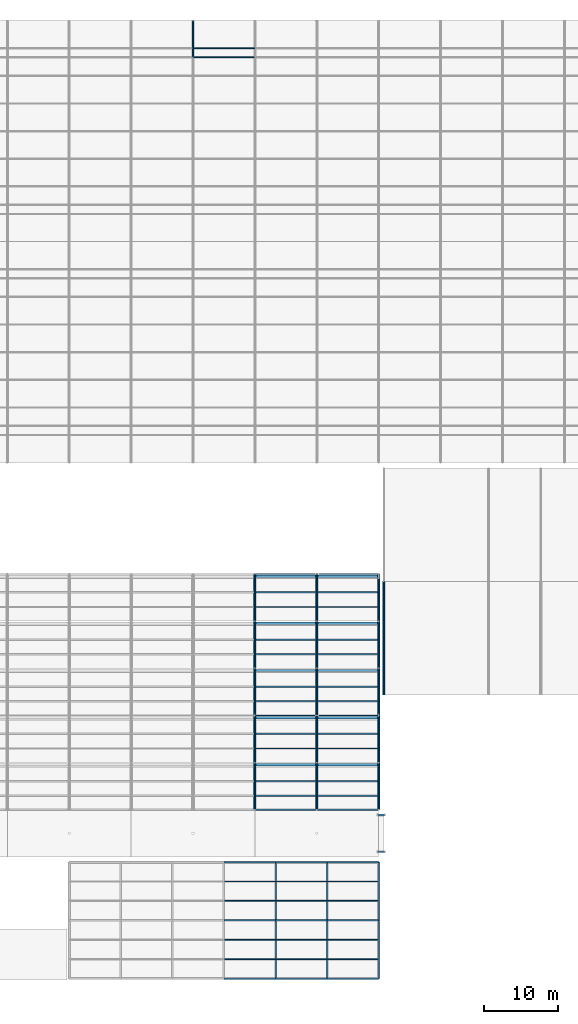
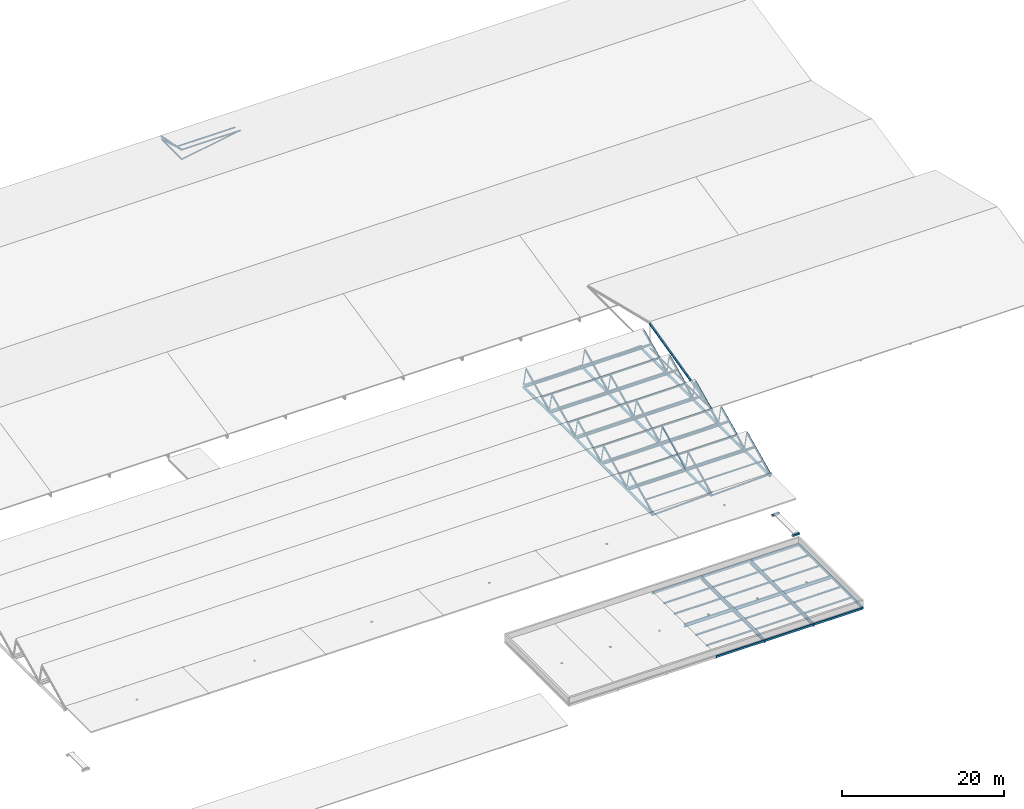
# One storey, part 62 of 194: 74 members, 58 beams.
"""IFC4 building model written with IfcOpenShell, lengths in metres."""

from ifc_helpers import new_model, si_unit, direction, frame, origin, origin_2d, place, context, subcontext, project, spatial, hollow_rectangle, hollow_circle, i_section, extrude, material, material_profile, profile_set, type_object, element, save


model = new_model("IFC4")

# Units and contexts
model_context = context("Model", 3, precision=1e-05, world=origin(), true_north=direction((0.0, 1.0)))
body_context = subcontext(model_context, "Body", "Model", "MODEL_VIEW")
ifc_project = project(units=[si_unit("LENGTHUNIT", "METRE"), si_unit("AREAUNIT", "SQUARE_METRE"), si_unit("VOLUMEUNIT", "CUBIC_METRE"), si_unit("PLANEANGLEUNIT", "RADIAN"), si_unit("MASSUNIT", "GRAM", prefix="KILO")], contexts=[model_context])

# Site, building, storey
site_placement = place(None, origin())
site = spatial("IfcSite", under=ifc_project, at=site_placement, CompositionType="ELEMENT")
building_placement = place(site_placement, origin())
building = spatial("IfcBuilding", under=site, at=building_placement, Name="Kazenagashi Tramway Depot", CompositionType="ELEMENT")
storey_placement = place(building_placement, frame((0.0, 0.0, 23.7)))
storey = spatial("IfcBuildingStorey", under=building, at=storey_placement, Name="ROOF", CompositionType="ELEMENT", Elevation=23.7)

# Members
ifc_material_1 = material(Name="Steel STKR400", Category="steel")
ifc_material_profile_1 = material_profile(ifc_material_1, hollow_rectangle(XDim=0.175, YDim=0.175, WallThickness=0.008, at=origin_2d()), Name="SHS-175x175x8")
ifc_profile_set_1 = profile_set([ifc_material_profile_1], Name="Steel STKR400")
member_type_1 = type_object("IfcMemberType", Name="BR-03", PredefinedType="BRACE", material=ifc_profile_set_1)
for number, where, z_axis, x_axis, name in (
    (1, (128.8, 22.9, -8.9), (0.999362854348, 0.0, 0.035691530512), (0.0, 1.0, 0.0), "Roof Truss BR-03 MEM-1464"),
    (2, (128.8, 35.7, -8.9), (0.999362854348, 0.0, 0.035691530512), (0.0, 1.0, 0.0), "Roof Truss BR-03 MEM-1465"),
    (3, (128.8, 54.9, -8.9), (0.999362854348, 0.0, 0.035691530512), (0.0, 1.0, 0.0), "Roof Truss BR-03 MEM-1466"),
    (4, (137.2, 22.9, -8.9), (0.999362854348, 0.0, 0.035691530512), (0.0, 1.0, 0.0), "Roof Truss BR-03 MEM-1493"),
    (5, (137.2, 35.7, -8.9), (0.999362854348, 0.0, 0.035691530512), (0.0, 1.0, 0.0), "Roof Truss BR-03 MEM-1494"),
    (6, (137.2, 54.9, -8.9), (0.999362854348, 0.0, 0.035691530512), (0.0, 1.0, 0.0), "Roof Truss BR-03 MEM-1495"),
):
    element("IfcMember", number, at=place(storey_placement, frame(where, z_axis=z_axis, x_axis=x_axis)), inside=storey, type_object=member_type_1, Name=name, PredefinedType="BRACE", context=body_context, shape_type="SweptSolid", body=[
        extrude(hollow_rectangle(XDim=0.175, YDim=0.175, WallThickness=0.008, at=origin_2d()), origin(), (0.0, 0.0, 1.0), 8.405355),
    ])

# Beams
ifc_material_2 = material(Name="Steel SN490B", Category="steel")
ifc_material_profile_2 = material_profile(ifc_material_2, i_section(OverallWidth=0.2, OverallDepth=0.5, WebThickness=0.01, FlangeThickness=0.016, at=origin_2d()), Name="H-500x200x10x16")
ifc_profile_set_2 = profile_set([ifc_material_profile_2], Name="Steel SN490B")
beam_type_1 = type_object("IfcBeamType", Name="G-05", PredefinedType="BEAM", material=ifc_profile_set_2)
for number, where, z_axis, x_axis, name in (
    (7, (124.6, 7.9, -15.05), (1.0, 0.0, 0.0), (0.0, 1.0, 0.0), "Beam G-05 BM-1654"),
    (8, (131.6, 7.9, -15.05), (1.0, 0.0, 0.0), (0.0, 1.0, 0.0), "Beam G-05 BM-1655"),
    (9, (138.6, 7.9, -15.05), (1.0, 0.0, 0.0), (0.0, 1.0, 0.0), "Beam G-05 BM-1656"),
):
    element("IfcBeam", number, at=place(storey_placement, frame(where, z_axis=z_axis, x_axis=x_axis)), inside=storey, type_object=beam_type_1, Name=name, PredefinedType="BEAM", context=body_context, shape_type="SweptSolid", body=[
        extrude(i_section(OverallWidth=0.2, OverallDepth=0.5, WebThickness=0.01, FlangeThickness=0.016, at=origin_2d()), origin(), (0.0, 0.0, 1.0), 7.0),
    ])
for number, where, z_axis, x_axis, name in (
    (10, (131.6, 0.0, -15.05), (0.0, 1.0, 0.0), (-1.0, 0.0, 0.0), "Beam G-05 BM-1687"),
    (11, (131.6, 7.9, -15.05), (0.0, 1.0, 0.0), (-1.0, 0.0, 0.0), "Beam G-05 BM-1690"),
    (12, (138.6, 0.0, -15.05), (0.0, 1.0, 0.0), (-1.0, 0.0, 0.0), "Beam G-05 BM-1693"),
    (13, (138.6, 7.9, -15.05), (0.0, 1.0, 0.0), (-1.0, 0.0, 0.0), "Beam G-05 BM-1696"),
):
    element("IfcBeam", number, at=place(storey_placement, frame(where, z_axis=z_axis, x_axis=x_axis)), inside=storey, type_object=beam_type_1, Name=name, PredefinedType="BEAM", context=body_context, shape_type="SweptSolid", body=[
        extrude(i_section(OverallWidth=0.2, OverallDepth=0.5, WebThickness=0.01, FlangeThickness=0.016, at=origin_2d()), origin(), (0.0, 0.0, 1.0), 7.9),
    ])
ifc_material_profile_3 = material_profile(ifc_material_2, i_section(OverallWidth=0.3, OverallDepth=0.44, WebThickness=0.011, FlangeThickness=0.018, at=origin_2d()), Name="H-440x300x11x18")
ifc_profile_set_3 = profile_set([ifc_material_profile_3], Name="Steel SN490B")
beam_type_2 = type_object("IfcBeamType", Name="G-06", PredefinedType="BEAM", material=ifc_profile_set_3)
for number, where, z_axis, x_axis, name in (
    (14, (128.8, 29.0, -8.62), (1.0, 0.0, 0.0), (0.0, 1.0, 0.0), "Beam G-06 BM-1940"),
    (15, (137.2, 29.0, -8.62), (1.0, 0.0, 0.0), (0.0, 1.0, 0.0), "Beam G-06 BM-1941"),
    (16, (128.8, 35.4, -8.62), (1.0, 0.0, 0.0), (0.0, 1.0, 0.0), "Beam G-06 BM-1952"),
    (17, (137.2, 35.4, -8.62), (1.0, 0.0, 0.0), (0.0, 1.0, 0.0), "Beam G-06 BM-1953"),
    (18, (128.8, 41.8, -8.62), (1.0, 0.0, 0.0), (0.0, 1.0, 0.0), "Beam G-06 BM-1964"),
    (19, (137.2, 41.8, -8.62), (1.0, 0.0, 0.0), (0.0, 1.0, 0.0), "Beam G-06 BM-1965"),
    (20, (128.8, 48.2, -8.62), (1.0, 0.0, 0.0), (0.0, 1.0, 0.0), "Beam G-06 BM-1976"),
    (21, (137.2, 48.2, -8.62), (1.0, 0.0, 0.0), (0.0, 1.0, 0.0), "Beam G-06 BM-1977"),
    (22, (128.8, 54.6, -8.62), (1.0, 0.0, 0.0), (0.0, 1.0, 0.0), "Beam G-06 BM-1988"),
    (23, (137.2, 54.6, -8.62), (1.0, 0.0, 0.0), (0.0, 1.0, 0.0), "Beam G-06 BM-1989"),
):
    element("IfcBeam", number, at=place(storey_placement, frame(where, z_axis=z_axis, x_axis=x_axis)), inside=storey, type_object=beam_type_2, Name=name, PredefinedType="BEAM", context=body_context, shape_type="SweptSolid", body=[
        extrude(i_section(OverallWidth=0.3, OverallDepth=0.44, WebThickness=0.011, FlangeThickness=0.018, at=origin_2d()), origin(), (0.0, 0.0, 1.0), 8.4),
    ])
ifc_material_3 = material(Name="Steel SN400B", Category="steel")
ifc_material_profile_4 = material_profile(ifc_material_3, i_section(OverallWidth=0.125, OverallDepth=0.25, WebThickness=0.006, FlangeThickness=0.009, at=origin_2d()), Name="H-250x125x6x9")
ifc_profile_set_4 = profile_set([ifc_material_profile_4], Name="Steel SN400B")
beam_type_3 = type_object("IfcBeamType", Name="J-03", PredefinedType="JOIST", material=ifc_profile_set_4)
for number, where, z_axis, x_axis, name in (
    (24, (124.7, 2.633, -14.925), (1.0, 0.0, 0.0), (0.0, 1.0, 0.0), "Beam J-03 BM-1682"),
    (25, (124.7, 5.267, -14.925), (1.0, 0.0, 0.0), (0.0, 1.0, 0.0), "Beam J-03 BM-1683"),
    (26, (124.7, 10.533, -14.925), (1.0, 0.0, 0.0), (0.0, 1.0, 0.0), "Beam J-03 BM-1685"),
    (27, (124.7, 13.167, -14.925), (1.0, 0.0, 0.0), (0.0, 1.0, 0.0), "Beam J-03 BM-1686"),
    (28, (131.7, 2.633, -14.925), (1.0, 0.0, 0.0), (0.0, 1.0, 0.0), "Beam J-03 BM-1688"),
    (29, (131.7, 5.267, -14.925), (1.0, 0.0, 0.0), (0.0, 1.0, 0.0), "Beam J-03 BM-1689"),
    (30, (131.7, 10.533, -14.925), (1.0, 0.0, 0.0), (0.0, 1.0, 0.0), "Beam J-03 BM-1691"),
    (31, (131.7, 13.167, -14.925), (1.0, 0.0, 0.0), (0.0, 1.0, 0.0), "Beam J-03 BM-1692"),
    (32, (138.7, 2.633, -14.925), (1.0, 0.0, 0.0), (0.0, 1.0, 0.0), "Beam J-03 BM-1694"),
    (33, (138.7, 5.267, -14.925), (1.0, 0.0, 0.0), (0.0, 1.0, 0.0), "Beam J-03 BM-1695"),
    (34, (138.7, 10.533, -14.925), (1.0, 0.0, 0.0), (0.0, 1.0, 0.0), "Beam J-03 BM-1697"),
    (35, (138.7, 13.167, -14.925), (1.0, 0.0, 0.0), (0.0, 1.0, 0.0), "Beam J-03 BM-1698"),
):
    element("IfcBeam", number, at=place(storey_placement, frame(where, z_axis=z_axis, x_axis=x_axis)), inside=storey, type_object=beam_type_3, Name=name, PredefinedType="JOIST", context=body_context, shape_type="SweptSolid", body=[
        extrude(i_section(OverallWidth=0.125, OverallDepth=0.25, WebThickness=0.006, FlangeThickness=0.009, at=origin_2d()), origin(), (0.0, 0.0, 1.0), 6.8),
    ])
ifc_material_profile_5 = material_profile(ifc_material_3, i_section(OverallWidth=0.1, OverallDepth=0.2, WebThickness=0.0055, FlangeThickness=0.008, at=origin_2d()), Name="H-200x100x5.5x8")
ifc_profile_set_5 = profile_set([ifc_material_profile_5], Name="Steel SN400B")
beam_type_4 = type_object("IfcBeamType", Name="PR-01", PredefinedType="USERDEFINED", material=ifc_profile_set_5)
beam_placement = place(storey_placement, frame((120.4, 126.25, -12.955), z_axis=(1.0, 0.0, 0.0), x_axis=(0.0, 1.0, 0.0)))
element("IfcBeam", 36, at=beam_placement, inside=storey, type_object=beam_type_4, Name="Beam PR-01 BM-2225", ObjectType="PURLIN", PredefinedType="USERDEFINED", context=body_context, shape_type="SweptSolid", body=[
    extrude(i_section(OverallWidth=0.1, OverallDepth=0.2, WebThickness=0.0055, FlangeThickness=0.008, at=origin_2d()), origin(), (0.0, 0.0, 1.0), 8.4),
])
ifc_material_profile_6 = material_profile(ifc_material_3, i_section(OverallWidth=0.175, OverallDepth=0.175, WebThickness=0.0075, FlangeThickness=0.011, at=origin_2d()), Name="H-175x175x7.5x11")
ifc_profile_set_6 = profile_set([ifc_material_profile_6], Name="Steel SN400B")
beam_type_5 = type_object("IfcBeamType", Name="PR-02", PredefinedType="USERDEFINED", material=ifc_profile_set_6)
for number, where, z_axis, x_axis, name in (
    (37, (128.8, 24.814, -7.775), (1.0, 0.0, 0.0), (0.0, 1.0, 0.0), "Beam PR-02 BM-2244"),
    (38, (137.2, 24.814, -7.775), (1.0, 0.0, 0.0), (0.0, 1.0, 0.0), "Beam PR-02 BM-2245"),
    (39, (128.8, 31.214, -7.775), (1.0, 0.0, 0.0), (0.0, 1.0, 0.0), "Beam PR-02 BM-2268"),
    (40, (137.2, 31.214, -7.775), (1.0, 0.0, 0.0), (0.0, 1.0, 0.0), "Beam PR-02 BM-2269"),
    (41, (128.8, 37.614, -7.775), (1.0, 0.0, 0.0), (0.0, 1.0, 0.0), "Beam PR-02 BM-2292"),
    (42, (137.2, 37.614, -7.775), (1.0, 0.0, 0.0), (0.0, 1.0, 0.0), "Beam PR-02 BM-2293"),
    (43, (128.8, 44.014, -7.775), (1.0, 0.0, 0.0), (0.0, 1.0, 0.0), "Beam PR-02 BM-2316"),
    (44, (137.2, 44.014, -7.775), (1.0, 0.0, 0.0), (0.0, 1.0, 0.0), "Beam PR-02 BM-2317"),
    (45, (128.8, 50.414, -7.775), (1.0, 0.0, 0.0), (0.0, 1.0, 0.0), "Beam PR-02 BM-2340"),
    (46, (137.2, 50.414, -7.775), (1.0, 0.0, 0.0), (0.0, 1.0, 0.0), "Beam PR-02 BM-2341"),
):
    element("IfcBeam", number, at=place(storey_placement, frame(where, z_axis=z_axis, x_axis=x_axis)), inside=storey, type_object=beam_type_5, Name=name, ObjectType="PURLIN", PredefinedType="USERDEFINED", context=body_context, shape_type="SweptSolid", body=[
        extrude(i_section(OverallWidth=0.175, OverallDepth=0.175, WebThickness=0.0075, FlangeThickness=0.011, at=origin_2d()), origin(), (0.0, 0.0, 1.0), 8.4),
    ])
ifc_material_profile_7 = material_profile(ifc_material_2, i_section(OverallWidth=0.2, OverallDepth=0.294, WebThickness=0.008, FlangeThickness=0.012, at=origin_2d()), Name="H-294x200x8x12")
ifc_profile_set_7 = profile_set([ifc_material_profile_7], Name="Steel SN490B")
beam_type_6 = type_object("IfcBeamType", Name="PR-03", PredefinedType="USERDEFINED", material=ifc_profile_set_7)
for number, where, z_axis, x_axis, name in (
    (47, (128.8, 26.786, -6.873), (1.0, 0.0, 0.0), (0.0, 1.0, 0.0), "Beam PR-03 BM-2256"),
    (48, (137.2, 26.786, -6.873), (1.0, 0.0, 0.0), (0.0, 1.0, 0.0), "Beam PR-03 BM-2257"),
    (49, (128.8, 33.186, -6.873), (1.0, 0.0, 0.0), (0.0, 1.0, 0.0), "Beam PR-03 BM-2280"),
    (50, (137.2, 33.186, -6.873), (1.0, 0.0, 0.0), (0.0, 1.0, 0.0), "Beam PR-03 BM-2281"),
    (51, (128.8, 39.586, -6.873), (1.0, 0.0, 0.0), (0.0, 1.0, 0.0), "Beam PR-03 BM-2304"),
    (52, (137.2, 39.586, -6.873), (1.0, 0.0, 0.0), (0.0, 1.0, 0.0), "Beam PR-03 BM-2305"),
    (53, (128.8, 45.986, -6.873), (1.0, 0.0, 0.0), (0.0, 1.0, 0.0), "Beam PR-03 BM-2328"),
    (54, (137.2, 45.986, -6.873), (1.0, 0.0, 0.0), (0.0, 1.0, 0.0), "Beam PR-03 BM-2329"),
    (55, (128.8, 52.386, -6.873), (1.0, 0.0, 0.0), (0.0, 1.0, 0.0), "Beam PR-03 BM-2352"),
    (56, (137.2, 52.386, -6.873), (1.0, 0.0, 0.0), (0.0, 1.0, 0.0), "Beam PR-03 BM-2353"),
):
    element("IfcBeam", number, at=place(storey_placement, frame(where, z_axis=z_axis, x_axis=x_axis)), inside=storey, type_object=beam_type_6, Name=name, ObjectType="PURLIN", PredefinedType="USERDEFINED", context=body_context, shape_type="SweptSolid", body=[
        extrude(i_section(OverallWidth=0.2, OverallDepth=0.294, WebThickness=0.008, FlangeThickness=0.012, at=origin_2d()), origin(), (0.0, 0.0, 1.0), 8.4),
    ])
ifc_material_4 = material(Name="Steel STKR490", Category="steel")
ifc_material_profile_8 = material_profile(ifc_material_4, hollow_rectangle(XDim=0.2, YDim=0.3, WallThickness=0.009, at=origin_2d()), Name="RHS-300x200x9")
ifc_profile_set_8 = profile_set([ifc_material_profile_8], Name="Steel STKR490")
beam_type_7 = type_object("IfcBeamType", Name="SP-03", PredefinedType="SPANDREL", material=ifc_profile_set_8)
for number, where, z_axis, x_axis, name in (
    (57, (124.6, 0.0, -14.95), (1.0, 0.0, 0.0), (0.0, 1.0, 0.0), "Beam SP-03 BM-1648"),
    (58, (131.6, 0.0, -14.95), (1.0, 0.0, 0.0), (0.0, 1.0, 0.0), "Beam SP-03 BM-1649"),
    (59, (138.6, 0.0, -14.95), (1.0, 0.0, 0.0), (0.0, 1.0, 0.0), "Beam SP-03 BM-1650"),
    (60, (124.6, 15.8, -14.95), (1.0, 0.0, 0.0), (0.0, 1.0, 0.0), "Beam SP-03 BM-1660"),
    (61, (131.6, 15.8, -14.95), (1.0, 0.0, 0.0), (0.0, 1.0, 0.0), "Beam SP-03 BM-1661"),
    (62, (138.6, 15.8, -14.95), (1.0, 0.0, 0.0), (0.0, 1.0, 0.0), "Beam SP-03 BM-1662"),
):
    element("IfcBeam", number, at=place(storey_placement, frame(where, z_axis=z_axis, x_axis=x_axis)), inside=storey, type_object=beam_type_7, Name=name, PredefinedType="SPANDREL", context=body_context, shape_type="SweptSolid", body=[
        extrude(hollow_rectangle(XDim=0.2, YDim=0.3, WallThickness=0.009, at=origin_2d()), origin(), (0.0, 0.0, 1.0), 7.0),
    ])
for number, where, z_axis, x_axis, name in (
    (63, (145.6, 0.0, -14.95), (0.0, 1.0, 0.0), (-1.0, 0.0, 0.0), "Beam SP-03 BM-1699"),
    (64, (145.6, 7.9, -14.95), (0.0, 1.0, 0.0), (-1.0, 0.0, 0.0), "Beam SP-03 BM-1700"),
):
    element("IfcBeam", number, at=place(storey_placement, frame(where, z_axis=z_axis, x_axis=x_axis)), inside=storey, type_object=beam_type_7, Name=name, PredefinedType="SPANDREL", context=body_context, shape_type="SweptSolid", body=[
        extrude(hollow_rectangle(XDim=0.2, YDim=0.3, WallThickness=0.009, at=origin_2d()), origin(), (0.0, 0.0, 1.0), 7.9),
    ])

# Members
ifc_material_5 = material(Name="Steel STK490", Category="steel")
ifc_material_profile_9 = material_profile(ifc_material_5, hollow_circle(Radius=0.1337, WallThickness=0.0093, at=origin_2d()), Name="CHS-267.4x9.3")
ifc_profile_set_9 = profile_set([ifc_material_profile_9], Name="Steel STK490")
member_type_2 = type_object("IfcMemberType", Name="TC-01", PredefinedType="CHORD", material=ifc_profile_set_9)
member_1_placement = place(storey_placement, frame((120.4, 125.0, -12.667), z_axis=(0.0, 0.979317999984, -0.202327098797), x_axis=(-1.0, 0.0, 0.0)))
element("IfcMember", 65, at=member_1_placement, inside=storey, type_object=member_type_2, Name="Tubular Space Frame TC-01 MEM-0596", PredefinedType="CHORD", context=body_context, shape_type="SweptSolid", body=[
    extrude(hollow_circle(Radius=0.1337, WallThickness=0.0093, at=origin_2d()), origin(), (0.0, 0.0, 1.0), 5.105594),
])
for number, where, z_axis, x_axis, name in (
    (66, (128.8, 22.9, -8.6), (0.0, 0.903579167632, 0.428421157067), (-1.0, 0.0, 0.0), "Roof Truss TC-01 MEM-1439"),
    (67, (128.8, 29.3, -8.6), (0.0, 0.903579167632, 0.428421157067), (-1.0, 0.0, 0.0), "Roof Truss TC-01 MEM-1444"),
    (68, (128.8, 35.7, -8.6), (0.0, 0.903579167632, 0.428421157067), (-1.0, 0.0, 0.0), "Roof Truss TC-01 MEM-1449"),
    (69, (128.8, 42.1, -8.6), (0.0, 0.903579167632, 0.428421157067), (-1.0, 0.0, 0.0), "Roof Truss TC-01 MEM-1454"),
    (70, (128.8, 48.5, -8.6), (0.0, 0.903579167632, 0.428421157067), (-1.0, 0.0, 0.0), "Roof Truss TC-01 MEM-1459"),
    (71, (137.2, 22.9, -8.6), (0.0, 0.903579167632, 0.428421157067), (-1.0, 0.0, 0.0), "Roof Truss TC-01 MEM-1468"),
    (72, (137.2, 29.3, -8.6), (0.0, 0.903579167632, 0.428421157067), (-1.0, 0.0, 0.0), "Roof Truss TC-01 MEM-1473"),
    (73, (137.2, 35.7, -8.6), (0.0, 0.903579167632, 0.428421157067), (-1.0, 0.0, 0.0), "Roof Truss TC-01 MEM-1478"),
    (74, (137.2, 42.1, -8.6), (0.0, 0.903579167632, 0.428421157067), (-1.0, 0.0, 0.0), "Roof Truss TC-01 MEM-1483"),
    (75, (137.2, 48.5, -8.6), (0.0, 0.903579167632, 0.428421157067), (-1.0, 0.0, 0.0), "Roof Truss TC-01 MEM-1488"),
    (76, (145.6, 22.9, -8.6), (0.0, 0.903579167632, 0.428421157067), (-1.0, 0.0, 0.0), "Roof Truss TC-01 MEM-1497"),
    (77, (145.6, 29.3, -8.6), (0.0, 0.903579167632, 0.428421157067), (-1.0, 0.0, 0.0), "Roof Truss TC-01 MEM-1502"),
    (78, (145.6, 35.7, -8.6), (0.0, 0.903579167632, 0.428421157067), (-1.0, 0.0, 0.0), "Roof Truss TC-01 MEM-1507"),
    (79, (145.6, 42.1, -8.6), (0.0, 0.903579167632, 0.428421157067), (-1.0, 0.0, 0.0), "Roof Truss TC-01 MEM-1512"),
    (80, (145.6, 48.5, -8.6), (0.0, 0.903579167632, 0.428421157067), (-1.0, 0.0, 0.0), "Roof Truss TC-01 MEM-1517"),
):
    element("IfcMember", number, at=place(storey_placement, frame(where, z_axis=z_axis, x_axis=x_axis)), inside=storey, type_object=member_type_2, Name=name, PredefinedType="CHORD", context=body_context, shape_type="SweptSolid", body=[
        extrude(hollow_circle(Radius=0.1337, WallThickness=0.0093, at=origin_2d()), origin(), (0.0, 0.0, 1.0), 6.418917),
    ])
ifc_material_profile_10 = material_profile(ifc_material_5, hollow_circle(Radius=0.10815, WallThickness=0.0082, at=origin_2d()), Name="CHS-216.3x8.2")
ifc_profile_set_10 = profile_set([ifc_material_profile_10], Name="Steel STK490")
member_type_3 = type_object("IfcMemberType", Name="TC-02", PredefinedType="CHORD", material=ifc_profile_set_10)
member_2_placement = place(storey_placement, frame((120.4, 125.0, -14.1), z_axis=(0.0, 1.0, 0.0), x_axis=(-1.0, 0.0, 0.0)))
element("IfcMember", 81, at=member_2_placement, inside=storey, type_object=member_type_3, Name="Tubular Space Frame TC-02 MEM-0597", PredefinedType="CHORD", context=body_context, shape_type="SweptSolid", body=[
    extrude(hollow_circle(Radius=0.10815, WallThickness=0.0082, at=origin_2d()), origin(), (0.0, 0.0, 1.0), 5.0),
])
member_3_placement = place(storey_placement, frame((120.4, 125.0, -12.667), z_axis=(1.0, 0.0, 0.0), x_axis=(0.0, 1.0, 0.0)))
element("IfcMember", 82, at=member_3_placement, inside=storey, type_object=member_type_3, Name="Tubular Space Frame TC-02 MEM-0609", PredefinedType="CHORD", context=body_context, shape_type="SweptSolid", body=[
    extrude(hollow_circle(Radius=0.10815, WallThickness=0.0082, at=origin_2d()), origin(), (0.0, 0.0, 1.0), 8.4),
])
member_4_placement = place(storey_placement, frame((146.3, 38.5, -8.6), z_axis=(0.0, 1.0, 0.0), x_axis=(-1.0, 0.0, 0.0)))
element("IfcMember", 83, at=member_4_placement, inside=storey, type_object=member_type_3, Name="Roof Truss TC-02 MEM-1524", PredefinedType="CHORD", context=body_context, shape_type="SweptSolid", body=[
    extrude(hollow_circle(Radius=0.10815, WallThickness=0.0082, at=origin_2d()), origin(), (0.0, 0.0, 1.0), 15.4),
])
ifc_material_profile_11 = material_profile(ifc_material_5, hollow_circle(Radius=0.1778, WallThickness=0.0127, at=origin_2d()), Name="CHS-355.6x12.7")
ifc_profile_set_11 = profile_set([ifc_material_profile_11], Name="Steel STK490")
member_type_4 = type_object("IfcMemberType", Name="TC-03", PredefinedType="CHORD", material=ifc_profile_set_11)
for number, where, z_axis, x_axis, name in (
    (84, (128.8, 22.9, -8.9), (0.0, 1.0, 0.0), (-1.0, 0.0, 0.0), "Roof Truss TC-03 MEM-1438"),
    (85, (128.8, 29.3, -8.9), (0.0, 1.0, 0.0), (-1.0, 0.0, 0.0), "Roof Truss TC-03 MEM-1443"),
    (86, (128.8, 35.7, -8.9), (0.0, 1.0, 0.0), (-1.0, 0.0, 0.0), "Roof Truss TC-03 MEM-1448"),
    (87, (128.8, 42.1, -8.9), (0.0, 1.0, 0.0), (-1.0, 0.0, 0.0), "Roof Truss TC-03 MEM-1453"),
    (88, (128.8, 48.5, -8.9), (0.0, 1.0, 0.0), (-1.0, 0.0, 0.0), "Roof Truss TC-03 MEM-1458"),
    (89, (137.2, 22.9, -8.9), (0.0, 1.0, 0.0), (-1.0, 0.0, 0.0), "Roof Truss TC-03 MEM-1467"),
    (90, (137.2, 29.3, -8.9), (0.0, 1.0, 0.0), (-1.0, 0.0, 0.0), "Roof Truss TC-03 MEM-1472"),
    (91, (137.2, 35.7, -8.9), (0.0, 1.0, 0.0), (-1.0, 0.0, 0.0), "Roof Truss TC-03 MEM-1477"),
    (92, (137.2, 42.1, -8.9), (0.0, 1.0, 0.0), (-1.0, 0.0, 0.0), "Roof Truss TC-03 MEM-1482"),
    (93, (137.2, 48.5, -8.9), (0.0, 1.0, 0.0), (-1.0, 0.0, 0.0), "Roof Truss TC-03 MEM-1487"),
    (94, (145.6, 22.9, -8.9), (0.0, 1.0, 0.0), (-1.0, 0.0, 0.0), "Roof Truss TC-03 MEM-1496"),
    (95, (145.6, 29.3, -8.9), (0.0, 1.0, 0.0), (-1.0, 0.0, 0.0), "Roof Truss TC-03 MEM-1501"),
    (96, (145.6, 35.7, -8.9), (0.0, 1.0, 0.0), (-1.0, 0.0, 0.0), "Roof Truss TC-03 MEM-1506"),
    (97, (145.6, 42.1, -8.9), (0.0, 1.0, 0.0), (-1.0, 0.0, 0.0), "Roof Truss TC-03 MEM-1511"),
    (98, (145.6, 48.5, -8.9), (0.0, 1.0, 0.0), (-1.0, 0.0, 0.0), "Roof Truss TC-03 MEM-1516"),
):
    element("IfcMember", number, at=place(storey_placement, frame(where, z_axis=z_axis, x_axis=x_axis)), inside=storey, type_object=member_type_4, Name=name, PredefinedType="CHORD", context=body_context, shape_type="SweptSolid", body=[
        extrude(hollow_circle(Radius=0.1778, WallThickness=0.0127, at=origin_2d()), origin(), (0.0, 0.0, 1.0), 6.4),
    ])
ifc_material_6 = material(Name="Weathering Steel SMA490W", Category="steel")
ifc_material_profile_12 = material_profile(ifc_material_6, hollow_rectangle(XDim=0.25, YDim=0.25, WallThickness=0.009, at=origin_2d()), Name="SHS-250x250x9")
ifc_profile_set_12 = profile_set([ifc_material_profile_12], Name="Weathering Steel SMA490W")
member_type_5 = type_object("IfcMemberType", Name="TC-04", PredefinedType="CHORD", material=ifc_profile_set_12)
for number, where, z_axis, x_axis, name in (
    (99, (145.45, 17.2, -14.39), (1.0, 0.0, 0.0), (0.0, 1.0, 0.0), "Link Bridge Truss TC-04 MEM-1558"),
    (100, (145.45, 22.2, -14.39), (1.0, 0.0, 0.0), (0.0, 1.0, 0.0), "Link Bridge Truss TC-04 MEM-1559"),
):
    element("IfcMember", number, at=place(storey_placement, frame(where, z_axis=z_axis, x_axis=x_axis)), inside=storey, type_object=member_type_5, Name=name, PredefinedType="CHORD", context=body_context, shape_type="SweptSolid", body=[
        extrude(hollow_rectangle(XDim=0.25, YDim=0.25, WallThickness=0.009, at=origin_2d()), origin(), (0.0, 0.0, 1.0), 1.0),
    ])
ifc_material_profile_13 = material_profile(ifc_material_5, hollow_circle(Radius=0.15925, WallThickness=0.0103, at=origin_2d()), Name="CHS-318.5x10.3")
ifc_profile_set_13 = profile_set([ifc_material_profile_13], Name="Steel STK490")
member_type_6 = type_object("IfcMemberType", Name="TC-05", PredefinedType="CHORD", material=ifc_profile_set_13)
member_5_placement = place(storey_placement, frame((146.3, 38.5, -8.6), z_axis=(0.0, 0.972329961031, 0.233611743884), x_axis=(-1.0, 0.0, 0.0)))
element("IfcMember", 101, at=member_5_placement, inside=storey, type_object=member_type_6, Name="Roof Truss TC-05 MEM-1522", PredefinedType="CHORD", context=body_context, shape_type="SweptSolid", body=[
    extrude(hollow_circle(Radius=0.15925, WallThickness=0.0103, at=origin_2d()), origin(), (0.0, 0.0, 1.0), 15.838245),
])
ifc_material_profile_14 = material_profile(ifc_material_5, hollow_circle(Radius=0.0826, WallThickness=0.0071, at=origin_2d()), Name="CHS-165.2x7.1")
ifc_profile_set_14 = profile_set([ifc_material_profile_14], Name="Steel STK490")
member_type_7 = type_object("IfcMemberType", Name="TS-01", PredefinedType="STRUT", material=ifc_profile_set_14)
member_6_placement = place(storey_placement, frame((120.4, 125.0, -12.667), z_axis=(0.0, 0.961298717795, -0.27550821252), x_axis=(-1.0, 0.0, 0.0)))
element("IfcMember", 102, at=member_6_placement, inside=storey, type_object=member_type_7, Name="Tubular Space Frame TS-01 MEM-0598", PredefinedType="STRUT", context=body_context, shape_type="SweptSolid", body=[
    extrude(hollow_circle(Radius=0.0826, WallThickness=0.0071, at=origin_2d()), origin(), (0.0, 0.0, 1.0), 5.201297),
])
for number, where, z_axis, x_axis, name in (
    (103, (128.8, 28.7, -5.85), (0.0, 0.213167075217, -0.97701576141), (-1.0, 0.0, 0.0), "Roof Truss TS-01 MEM-1440"),
    (104, (128.8, 35.1, -5.85), (0.0, 0.213167075217, -0.97701576141), (-1.0, 0.0, 0.0), "Roof Truss TS-01 MEM-1445"),
    (105, (128.8, 41.5, -5.85), (0.0, 0.213167075217, -0.97701576141), (-1.0, 0.0, 0.0), "Roof Truss TS-01 MEM-1450"),
    (106, (128.8, 47.9, -5.85), (0.0, 0.213167075217, -0.97701576141), (-1.0, 0.0, 0.0), "Roof Truss TS-01 MEM-1455"),
    (107, (128.8, 54.3, -5.85), (0.0, 0.213167075217, -0.97701576141), (-1.0, 0.0, 0.0), "Roof Truss TS-01 MEM-1460"),
    (108, (137.2, 28.7, -5.85), (0.0, 0.213167075217, -0.97701576141), (-1.0, 0.0, 0.0), "Roof Truss TS-01 MEM-1469"),
    (109, (137.2, 35.1, -5.85), (0.0, 0.213167075217, -0.97701576141), (-1.0, 0.0, 0.0), "Roof Truss TS-01 MEM-1474"),
    (110, (137.2, 41.5, -5.85), (0.0, 0.213167075217, -0.97701576141), (-1.0, 0.0, 0.0), "Roof Truss TS-01 MEM-1479"),
    (111, (137.2, 47.9, -5.85), (0.0, 0.213167075217, -0.97701576141), (-1.0, 0.0, 0.0), "Roof Truss TS-01 MEM-1484"),
    (112, (137.2, 54.3, -5.85), (0.0, 0.213167075217, -0.97701576141), (-1.0, 0.0, 0.0), "Roof Truss TS-01 MEM-1489"),
    (113, (145.6, 28.7, -5.85), (0.0, 0.213167075217, -0.97701576141), (-1.0, 0.0, 0.0), "Roof Truss TS-01 MEM-1498"),
    (114, (145.6, 35.1, -5.85), (0.0, 0.213167075217, -0.97701576141), (-1.0, 0.0, 0.0), "Roof Truss TS-01 MEM-1503"),
    (115, (145.6, 41.5, -5.85), (0.0, 0.213167075217, -0.97701576141), (-1.0, 0.0, 0.0), "Roof Truss TS-01 MEM-1508"),
    (116, (145.6, 47.9, -5.85), (0.0, 0.213167075217, -0.97701576141), (-1.0, 0.0, 0.0), "Roof Truss TS-01 MEM-1513"),
):
    element("IfcMember", number, at=place(storey_placement, frame(where, z_axis=z_axis, x_axis=x_axis)), inside=storey, type_object=member_type_7, Name=name, PredefinedType="STRUT", context=body_context, shape_type="SweptSolid", body=[
        extrude(hollow_circle(Radius=0.0826, WallThickness=0.0071, at=origin_2d()), origin(), (0.0, 0.0, 1.0), 2.814694),
    ])
ifc_material_profile_15 = material_profile(ifc_material_5, hollow_circle(Radius=0.0699, WallThickness=0.0066, at=origin_2d()), Name="CHS-139.8x6.6")
ifc_profile_set_15 = profile_set([ifc_material_profile_15], Name="Steel STK490")
member_type_8 = type_object("IfcMemberType", Name="TS-02", PredefinedType="STRUT", material=ifc_profile_set_15)
for number, where, z_axis, x_axis, name in (
    (117, (128.8, 22.9, -8.9), (0.0, 0.885083676955, 0.465431933571), (-1.0, 0.0, 0.0), "Roof Truss TS-02 MEM-1442"),
    (118, (128.8, 29.3, -8.9), (0.0, 0.885083676955, 0.465431933571), (-1.0, 0.0, 0.0), "Roof Truss TS-02 MEM-1447"),
    (119, (128.8, 35.7, -8.9), (0.0, 0.885083676955, 0.465431933571), (-1.0, 0.0, 0.0), "Roof Truss TS-02 MEM-1452"),
    (120, (128.8, 42.1, -8.9), (0.0, 0.885083676955, 0.465431933571), (-1.0, 0.0, 0.0), "Roof Truss TS-02 MEM-1457"),
    (121, (128.8, 48.5, -8.9), (0.0, 0.885083676955, 0.465431933571), (-1.0, 0.0, 0.0), "Roof Truss TS-02 MEM-1462"),
    (122, (137.2, 22.9, -8.9), (0.0, 0.885083676955, 0.465431933571), (-1.0, 0.0, 0.0), "Roof Truss TS-02 MEM-1471"),
    (123, (137.2, 29.3, -8.9), (0.0, 0.885083676955, 0.465431933571), (-1.0, 0.0, 0.0), "Roof Truss TS-02 MEM-1476"),
    (124, (137.2, 35.7, -8.9), (0.0, 0.885083676955, 0.465431933571), (-1.0, 0.0, 0.0), "Roof Truss TS-02 MEM-1481"),
    (125, (137.2, 42.1, -8.9), (0.0, 0.885083676955, 0.465431933571), (-1.0, 0.0, 0.0), "Roof Truss TS-02 MEM-1486"),
    (126, (137.2, 48.5, -8.9), (0.0, 0.885083676955, 0.465431933571), (-1.0, 0.0, 0.0), "Roof Truss TS-02 MEM-1491"),
    (127, (145.6, 22.9, -8.9), (0.0, 0.885083676955, 0.465431933571), (-1.0, 0.0, 0.0), "Roof Truss TS-02 MEM-1500"),
    (128, (145.6, 29.3, -8.9), (0.0, 0.885083676955, 0.465431933571), (-1.0, 0.0, 0.0), "Roof Truss TS-02 MEM-1505"),
    (129, (145.6, 35.7, -8.9), (0.0, 0.885083676955, 0.465431933571), (-1.0, 0.0, 0.0), "Roof Truss TS-02 MEM-1510"),
    (130, (145.6, 42.1, -8.9), (0.0, 0.885083676955, 0.465431933571), (-1.0, 0.0, 0.0), "Roof Truss TS-02 MEM-1515"),
    (131, (145.6, 48.5, -8.9), (0.0, 0.885083676955, 0.465431933571), (-1.0, 0.0, 0.0), "Roof Truss TS-02 MEM-1520"),
):
    element("IfcMember", number, at=place(storey_placement, frame(where, z_axis=z_axis, x_axis=x_axis)), inside=storey, type_object=member_type_8, Name=name, PredefinedType="STRUT", context=body_context, shape_type="SweptSolid", body=[
        extrude(hollow_circle(Radius=0.0699, WallThickness=0.0066, at=origin_2d()), origin(), (0.0, 0.0, 1.0), 6.553053),
    ])
ifc_material_profile_16 = material_profile(ifc_material_5, hollow_circle(Radius=0.09535, WallThickness=0.007, at=origin_2d()), Name="CHS-190.7x7.0")
ifc_profile_set_16 = profile_set([ifc_material_profile_16], Name="Steel STK490")
member_type_9 = type_object("IfcMemberType", Name="TS-05", PredefinedType="STRUT", material=ifc_profile_set_16)
member_7_placement = place(storey_placement, frame((120.4, 125.0, -14.1), z_axis=(0.985758734117, 0.0, 0.168165745951), x_axis=(0.0, 1.0, 0.0)))
element("IfcMember", 132, at=member_7_placement, inside=storey, type_object=member_type_9, Name="Tubular Space Frame TS-05 MEM-0610", PredefinedType="STRUT", context=body_context, shape_type="SweptSolid", body=[
    extrude(hollow_circle(Radius=0.09535, WallThickness=0.007, at=origin_2d()), origin(), (0.0, 0.0, 1.0), 8.521355),
])

save(model, "model.ifc")
